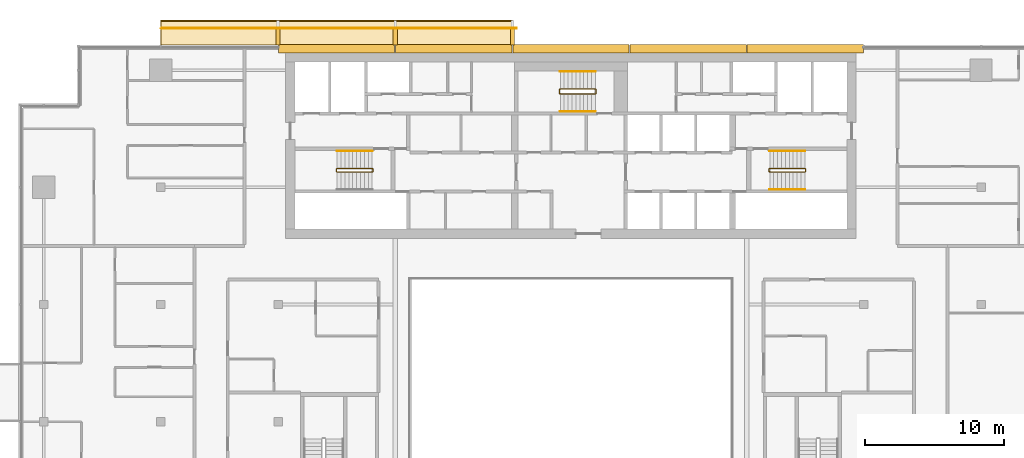
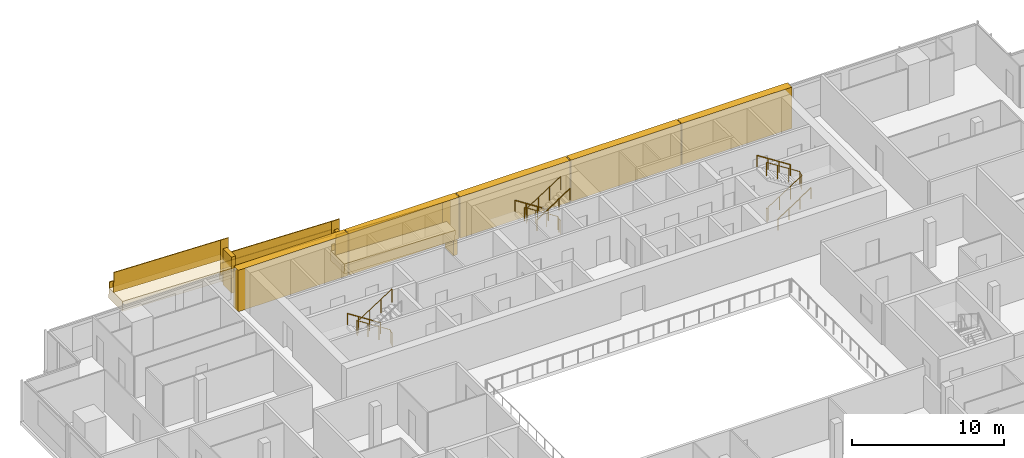
# One storey, part 26 of 27: 14 coverings, 14 railings.
"""IFC4 building model written with IfcOpenShell, lengths in metres."""

from ifc_helpers import new_model, si_unit, direction, frame, origin, origin_2d, place, context, subcontext, project, spatial, polyline, rectangle, circle, outline, extrude, material, layer, layer_set, type_object, element, save


model = new_model("IFC4")

# Units and contexts
model_context = context("Model", 3, precision=1e-05, world=origin(), true_north=direction((0.0, 1.0)))
body_context = subcontext(model_context, "Body", "Model", "MODEL_VIEW")
ifc_project = project(units=[si_unit("LENGTHUNIT", "METRE"), si_unit("AREAUNIT", "SQUARE_METRE"), si_unit("VOLUMEUNIT", "CUBIC_METRE"), si_unit("PLANEANGLEUNIT", "RADIAN"), si_unit("MASSUNIT", "GRAM", prefix="KILO")], contexts=[model_context])

# Site, building, storey
site_placement = place(None, origin())
site = spatial("IfcSite", under=ifc_project, at=site_placement, CompositionType="ELEMENT")
building_placement = place(site_placement, origin())
building = spatial("IfcBuilding", under=site, at=building_placement, Name="Saffron Gate Tower", CompositionType="ELEMENT")
storey_placement = place(building_placement, frame((0.0, 0.0, 234.300048828125)))
storey = spatial("IfcBuildingStorey", under=building, at=storey_placement, Name="L57", CompositionType="ELEMENT", Elevation=234.300048828125)

# Coverings
ifc_material_1 = material(Name="Ceramic-printed bronze insulated panel")
ifc_layer_1 = layer(ifc_material_1, 0.590087890625)
ifc_layer_set_1 = layer_set([ifc_layer_1], Name="CLD4 ceramic-printed cladding panel 590")
covering_type_1 = type_object("IfcCoveringType", Name="CLD4 ceramic-printed cladding panel 590", PredefinedType="CLADDING", material=ifc_layer_set_1)
covering_1_placement = place(storey_placement, origin())
element("IfcCovering", 1, at=covering_1_placement, inside=storey, type_object=covering_type_1, Name="CLADDING ceramic-printed panel", PredefinedType="CLADDING", context=body_context, shape_type="SweptSolid", body=[
    extrude(outline(polyline([(108.56494140625, 75.639892578125), (100.235107421875, 75.639892578125), (100.235107421875, 75.050048828125), (108.56494140625, 75.050048828125), (108.56494140625, 75.639892578125)])), origin(), (0.0, 0.0, 1.0), 3.320068359375),
])
covering_2_placement = place(storey_placement, origin())
element("IfcCovering", 2, at=covering_2_placement, inside=storey, type_object=covering_type_1, Name="CLADDING ceramic-printed panel", PredefinedType="CLADDING", context=body_context, shape_type="SweptSolid", body=[
    extrude(outline(polyline([(100.1650390625, 75.639892578125), (91.8349609375, 75.639892578125), (91.8349609375, 75.050048828125), (100.1650390625, 75.050048828125), (100.1650390625, 75.639892578125)])), origin(), (0.0, 0.0, 1.0), 3.320068359375),
])
covering_3_placement = place(storey_placement, origin())
element("IfcCovering", 3, at=covering_3_placement, inside=storey, type_object=covering_type_1, Name="CLADDING ceramic-printed panel", PredefinedType="CLADDING", context=body_context, shape_type="SweptSolid", body=[
    extrude(outline(polyline([(91.764892578125, 75.639892578125), (83.43505859375, 75.639892578125), (83.43505859375, 75.050048828125), (91.764892578125, 75.050048828125), (91.764892578125, 75.639892578125)])), origin(), (0.0, 0.0, 1.0), 3.320068359375),
])
covering_4_placement = place(storey_placement, origin())
element("IfcCovering", 4, at=covering_4_placement, inside=storey, type_object=covering_type_1, Name="CLADDING ceramic-printed panel", PredefinedType="CLADDING", context=body_context, shape_type="SweptSolid", body=[
    extrude(outline(polyline([(83.364990234375, 75.639892578125), (75.034912109375, 75.639892578125), (75.034912109375, 75.050048828125), (83.364990234375, 75.050048828125), (83.364990234375, 75.639892578125)])), origin(), (0.0, 0.0, 1.0), 3.320068359375),
])
covering_5_placement = place(storey_placement, origin())
element("IfcCovering", 5, at=covering_5_placement, inside=storey, type_object=covering_type_1, Name="CLADDING ceramic-printed panel", PredefinedType="CLADDING", context=body_context, shape_type="SweptSolid", body=[
    extrude(outline(polyline([(74.965087890625, 75.639892578125), (66.635009765625, 75.639892578125), (66.635009765625, 75.050048828125), (74.965087890625, 75.050048828125), (74.965087890625, 75.639892578125)])), origin(), (0.0, 0.0, 1.0), 3.320068359375),
])

# Railings
ifc_material_2 = material(Name="Stainless steel and laminated glass", Category="steel")
railing_type_1 = type_object("IfcRailingType", Name="CR1 Stair guard 1100", PredefinedType="GUARDRAIL", material=ifc_material_2)
railing_1_placement = place(storey_placement, frame((73.39990234375, 66.550048828125, 0.0)))
element("IfcRailing", 6, at=railing_1_placement, inside=storey, type_object=railing_type_1, Name="L57 ST-A stair guard 1", PredefinedType="GUARDRAIL", context=body_context, shape_type="SweptSolid", body=[
    extrude(circle(Radius=0.02392578125, at=origin_2d()), frame((0.0, 0.0, 1.076171875), z_axis=(0.0, 1.0, 0.0), x_axis=(-1.0, 0.0, 0.0)), (0.0, 0.0, 1.0), 0.14990234375),
    extrude(circle(Radius=0.02392578125, at=origin_2d()), frame((0.0, 0.14990234375, 1.076171875), z_axis=(-0.257669022063, 0.258932105505, 0.930892496375), x_axis=(-0.708833529934, -0.705375805398, 0.0)), (0.0, 0.0, 1.0), 0.193359375),
    extrude(circle(Radius=0.02392578125, at=origin_2d()), frame((-0.0498046875, 0.199951171875, 1.255859375), z_axis=(-0.841162588446, 0.0, 0.540782303519), x_axis=(0.0, -1.0, 0.0)), (0.0, 0.0, 1.0), 2.995849609375),
    extrude(circle(Radius=0.02392578125, at=origin_2d()), frame((-2.56982421875, 0.199951171875, 2.8759765625), z_axis=(-0.707106781187, -0.707106781187, 0.0), x_axis=(0.707106781187, -0.707106781187, 0.0)), (0.0, 0.0, 1.0), 0.07080078125),
    extrude(circle(Radius=0.02392578125, at=origin_2d()), frame((-2.619873046875, 0.14990234375, 2.8759765625), z_axis=(0.0, -1.0, 0.0), x_axis=(1.0, 0.0, 0.0)), (0.0, 0.0, 1.0), 0.14990234375),
    extrude(circle(Radius=0.02392578125, at=origin_2d()), frame((-2.619873046875, 0.0, 2.8759765625), z_axis=(0.258847668887, -0.258847668887, 0.930588936439), x_axis=(0.707106781187, 0.707106781187, 0.0)), (0.0, 0.0, 1.0), 0.193359375),
    extrude(circle(Radius=0.02392578125, at=origin_2d()), frame((-2.56982421875, -0.050048828125, 3.05615234375), z_axis=(0.841199657755, 0.0, 0.540724639528), x_axis=(0.0, 1.0, 0.0)), (0.0, 0.0, 1.0), 2.995849609375),
    extrude(circle(Radius=0.02099609375, at=origin_2d()), origin(), (0.0, 0.0, 1.0), 1.052001953125),
    extrude(circle(Radius=0.02099609375, at=origin_2d()), frame((0.0, 0.14990234375, 0.0)), (0.0, 0.0, 1.0), 1.052001953125),
    extrude(circle(Radius=0.02099609375, at=origin_2d()), frame((-0.0498046875, 0.199951171875, 0.179931640625)), (0.0, 0.0, 1.0), 1.052001953125),
    extrude(circle(Radius=0.02099609375, at=origin_2d()), frame((-0.889892578125, 0.199951171875, 0.719970703125)), (0.0, 0.0, 1.0), 1.052001953125),
    extrude(circle(Radius=0.02099609375, at=origin_2d()), frame((-1.729736328125, 0.199951171875, 1.260009765625)), (0.0, 0.0, 1.0), 1.052001953125),
    extrude(circle(Radius=0.02099609375, at=origin_2d()), frame((-2.56982421875, 0.199951171875, 1.800048828125)), (0.0, 0.0, 1.0), 1.052001953125),
    extrude(circle(Radius=0.02099609375, at=origin_2d()), frame((-2.619873046875, 0.14990234375, 1.800048828125)), (0.0, 0.0, 1.0), 1.052001953125),
    extrude(circle(Radius=0.02099609375, at=origin_2d()), frame((-2.619873046875, 0.0, 1.800048828125)), (0.0, 0.0, 1.0), 1.052001953125),
    extrude(circle(Radius=0.02099609375, at=origin_2d()), frame((-2.56982421875, -0.050048828125, 1.97998046875)), (0.0, 0.0, 1.0), 1.052001953125),
    extrude(circle(Radius=0.02099609375, at=origin_2d()), frame((-1.729736328125, -0.050048828125, 2.52001953125)), (0.0, 0.0, 1.0), 1.052001953125),
    extrude(circle(Radius=0.02099609375, at=origin_2d()), frame((-0.889892578125, -0.050048828125, 3.059814453125)), (0.0, 0.0, 1.0), 1.052001953125),
    extrude(circle(Radius=0.02099609375, at=origin_2d()), frame((-0.0498046875, -0.050048828125, 3.599853515625)), (0.0, 0.0, 1.0), 1.052001953125),
])
railing_2_placement = place(storey_placement, frame((101.800048828125, 66.699951171875, 0.0)))
element("IfcRailing", 7, at=railing_2_placement, inside=storey, type_object=railing_type_1, Name="L57 ST-B stair guard 1", PredefinedType="GUARDRAIL", context=body_context, shape_type="SweptSolid", body=[
    extrude(circle(Radius=0.02392578125, at=origin_2d()), frame((0.0, 0.0, 1.076171875), z_axis=(0.0, -1.0, 0.0), x_axis=(1.0, 0.0, 0.0)), (0.0, 0.0, 1.0), 0.14990234375),
    extrude(circle(Radius=0.02392578125, at=origin_2d()), frame((0.0, -0.14990234375, 1.076171875), z_axis=(0.258847668887, -0.258847668887, 0.930588936439), x_axis=(0.707106781187, 0.707106781187, 0.0)), (0.0, 0.0, 1.0), 0.193359375),
    extrude(circle(Radius=0.02392578125, at=origin_2d()), frame((0.050048828125, -0.199951171875, 1.255859375), z_axis=(0.841162588446, 0.0, 0.540782303519), x_axis=(0.0, 1.0, 0.0)), (0.0, 0.0, 1.0), 2.995849609375),
    extrude(circle(Radius=0.02392578125, at=origin_2d()), frame((2.570068359375, -0.199951171875, 2.8759765625), z_axis=(0.705375805398, 0.708833529934, 0.0), x_axis=(-0.708833529934, 0.705375805398, 0.0)), (0.0, 0.0, 1.0), 0.070556640625),
    extrude(circle(Radius=0.02392578125, at=origin_2d()), frame((2.619873046875, -0.14990234375, 2.8759765625), z_axis=(0.0, 1.0, 0.0), x_axis=(-1.0, 0.0, 0.0)), (0.0, 0.0, 1.0), 0.14990234375),
    extrude(circle(Radius=0.02392578125, at=origin_2d()), frame((2.619873046875, 0.0, 2.8759765625), z_axis=(-0.257669022063, 0.258932105505, 0.930892496375), x_axis=(-0.708833529934, -0.705375805398, 0.0)), (0.0, 0.0, 1.0), 0.193359375),
    extrude(circle(Radius=0.02392578125, at=origin_2d()), frame((2.570068359375, 0.050048828125, 3.05615234375), z_axis=(-0.841199657755, 0.0, 0.540724639528), x_axis=(0.0, -1.0, 0.0)), (0.0, 0.0, 1.0), 2.995849609375),
    extrude(circle(Radius=0.02099609375, at=origin_2d()), origin(), (0.0, 0.0, 1.0), 1.052001953125),
    extrude(circle(Radius=0.02099609375, at=origin_2d()), frame((0.0, -0.14990234375, 0.0)), (0.0, 0.0, 1.0), 1.052001953125),
    extrude(circle(Radius=0.02099609375, at=origin_2d()), frame((0.050048828125, -0.199951171875, 0.179931640625)), (0.0, 0.0, 1.0), 1.052001953125),
    extrude(circle(Radius=0.02099609375, at=origin_2d()), frame((0.89013671875, -0.199951171875, 0.719970703125)), (0.0, 0.0, 1.0), 1.052001953125),
    extrude(circle(Radius=0.02099609375, at=origin_2d()), frame((1.72998046875, -0.199951171875, 1.260009765625)), (0.0, 0.0, 1.0), 1.052001953125),
    extrude(circle(Radius=0.02099609375, at=origin_2d()), frame((2.570068359375, -0.199951171875, 1.800048828125)), (0.0, 0.0, 1.0), 1.052001953125),
    extrude(circle(Radius=0.02099609375, at=origin_2d()), frame((2.619873046875, -0.14990234375, 1.800048828125)), (0.0, 0.0, 1.0), 1.052001953125),
    extrude(circle(Radius=0.02099609375, at=origin_2d()), frame((2.619873046875, 0.0, 1.800048828125)), (0.0, 0.0, 1.0), 1.052001953125),
    extrude(circle(Radius=0.02099609375, at=origin_2d()), frame((2.570068359375, 0.050048828125, 1.97998046875)), (0.0, 0.0, 1.0), 1.052001953125),
    extrude(circle(Radius=0.02099609375, at=origin_2d()), frame((1.72998046875, 0.050048828125, 2.52001953125)), (0.0, 0.0, 1.0), 1.052001953125),
    extrude(circle(Radius=0.02099609375, at=origin_2d()), frame((0.89013671875, 0.050048828125, 3.059814453125)), (0.0, 0.0, 1.0), 1.052001953125),
    extrude(circle(Radius=0.02099609375, at=origin_2d()), frame((0.050048828125, 0.050048828125, 3.599853515625)), (0.0, 0.0, 1.0), 1.052001953125),
])
railing_3_placement = place(storey_placement, frame((89.39990234375, 72.14990234375, 0.0)))
element("IfcRailing", 8, at=railing_3_placement, inside=storey, type_object=railing_type_1, Name="L57 ST-C stair guard 1", PredefinedType="GUARDRAIL", context=body_context, shape_type="SweptSolid", body=[
    extrude(circle(Radius=0.02392578125, at=origin_2d()), frame((0.0, 0.0, 1.076171875), z_axis=(0.0, 1.0, 0.0), x_axis=(-1.0, 0.0, 0.0)), (0.0, 0.0, 1.0), 0.25),
    extrude(circle(Radius=0.02392578125, at=origin_2d()), frame((0.0, 0.25, 1.076171875), z_axis=(-0.257669022063, 0.258932105505, 0.930892496375), x_axis=(-0.708833529934, -0.705375805398, 0.0)), (0.0, 0.0, 1.0), 0.193359375),
    extrude(circle(Radius=0.02392578125, at=origin_2d()), frame((-0.0498046875, 0.300048828125, 1.255859375), z_axis=(-0.841162588446, 0.0, 0.540782303519), x_axis=(0.0, -1.0, 0.0)), (0.0, 0.0, 1.0), 2.995849609375),
    extrude(circle(Radius=0.02392578125, at=origin_2d()), frame((-2.56982421875, 0.300048828125, 2.8759765625), z_axis=(-0.707106781187, -0.707106781187, 0.0), x_axis=(0.707106781187, -0.707106781187, 0.0)), (0.0, 0.0, 1.0), 0.07080078125),
    extrude(circle(Radius=0.02392578125, at=origin_2d()), frame((-2.619873046875, 0.25, 2.8759765625), z_axis=(0.0, -1.0, 0.0), x_axis=(1.0, 0.0, 0.0)), (0.0, 0.0, 1.0), 0.25),
    extrude(circle(Radius=0.02392578125, at=origin_2d()), frame((-2.619873046875, 0.0, 2.8759765625), z_axis=(0.258932105505, -0.257669022063, 0.930892496375), x_axis=(0.705375805398, 0.708833529934, 0.0)), (0.0, 0.0, 1.0), 0.193359375),
    extrude(circle(Radius=0.02392578125, at=origin_2d()), frame((-2.56982421875, -0.0498046875, 3.05615234375), z_axis=(0.841199657755, 0.0, 0.540724639528), x_axis=(0.0, 1.0, 0.0)), (0.0, 0.0, 1.0), 2.995849609375),
    extrude(circle(Radius=0.02099609375, at=origin_2d()), origin(), (0.0, 0.0, 1.0), 1.052001953125),
    extrude(circle(Radius=0.02099609375, at=origin_2d()), frame((0.0, 0.25, 0.0)), (0.0, 0.0, 1.0), 1.052001953125),
    extrude(circle(Radius=0.02099609375, at=origin_2d()), frame((-0.0498046875, 0.300048828125, 0.179931640625)), (0.0, 0.0, 1.0), 1.052001953125),
    extrude(circle(Radius=0.02099609375, at=origin_2d()), frame((-0.889892578125, 0.300048828125, 0.719970703125)), (0.0, 0.0, 1.0), 1.052001953125),
    extrude(circle(Radius=0.02099609375, at=origin_2d()), frame((-1.729736328125, 0.300048828125, 1.260009765625)), (0.0, 0.0, 1.0), 1.052001953125),
    extrude(circle(Radius=0.02099609375, at=origin_2d()), frame((-2.56982421875, 0.300048828125, 1.800048828125)), (0.0, 0.0, 1.0), 1.052001953125),
    extrude(circle(Radius=0.02099609375, at=origin_2d()), frame((-2.619873046875, 0.25, 1.800048828125)), (0.0, 0.0, 1.0), 1.052001953125),
    extrude(circle(Radius=0.02099609375, at=origin_2d()), frame((-2.619873046875, 0.0, 1.800048828125)), (0.0, 0.0, 1.0), 1.052001953125),
    extrude(circle(Radius=0.02099609375, at=origin_2d()), frame((-2.56982421875, -0.0498046875, 1.97998046875)), (0.0, 0.0, 1.0), 1.052001953125),
    extrude(circle(Radius=0.02099609375, at=origin_2d()), frame((-1.729736328125, -0.0498046875, 2.52001953125)), (0.0, 0.0, 1.0), 1.052001953125),
    extrude(circle(Radius=0.02099609375, at=origin_2d()), frame((-0.889892578125, -0.0498046875, 3.059814453125)), (0.0, 0.0, 1.0), 1.052001953125),
    extrude(circle(Radius=0.02099609375, at=origin_2d()), frame((-0.0498046875, -0.0498046875, 3.599853515625)), (0.0, 0.0, 1.0), 1.052001953125),
])
ifc_material_3 = material(Name="Stainless steel", Category="steel")
railing_type_2 = type_object("IfcRailingType", Name="CR2 Stair handrail 900", PredefinedType="HANDRAIL", material=ifc_material_3)
railing_4_placement = place(storey_placement, frame((73.35009765625, 68.0, 0.179931640625)))
element("IfcRailing", 9, at=railing_4_placement, inside=storey, type_object=railing_type_2, Name="L57 ST-A stair handrail 1", PredefinedType="HANDRAIL", context=body_context, shape_type="SweptSolid", body=[
    extrude(circle(Radius=0.02392578125, at=origin_2d()), frame((0.0, 0.0, 0.8759765625), z_axis=(-0.841162588446, 0.0, 0.540782303519), x_axis=(0.0, -1.0, 0.0)), (0.0, 0.0, 1.0), 2.995849609375),
    extrude(circle(Radius=0.02099609375, at=origin_2d()), origin(), (0.0, 0.0, 1.0), 0.851806640625),
    extrude(circle(Radius=0.02099609375, at=origin_2d()), frame((-0.840087890625, 0.0, 0.5400390625)), (0.0, 0.0, 1.0), 0.851806640625),
    extrude(circle(Radius=0.02099609375, at=origin_2d()), frame((-1.679931640625, 0.0, 1.080078125)), (0.0, 0.0, 1.0), 0.851806640625),
    extrude(circle(Radius=0.02099609375, at=origin_2d()), frame((-2.52001953125, 0.0, 1.6201171875)), (0.0, 0.0, 1.0), 0.851806640625),
])
railing_5_placement = place(storey_placement, frame((101.85009765625, 65.25, 0.179931640625)))
element("IfcRailing", 10, at=railing_5_placement, inside=storey, type_object=railing_type_2, Name="L57 ST-B stair handrail 1", PredefinedType="HANDRAIL", context=body_context, shape_type="SweptSolid", body=[
    extrude(circle(Radius=0.02392578125, at=origin_2d()), frame((0.0, 0.0, 0.8759765625), z_axis=(0.841162588446, 0.0, 0.540782303519), x_axis=(0.0, 1.0, 0.0)), (0.0, 0.0, 1.0), 2.995849609375),
    extrude(circle(Radius=0.02099609375, at=origin_2d()), origin(), (0.0, 0.0, 1.0), 0.851806640625),
    extrude(circle(Radius=0.02099609375, at=origin_2d()), frame((0.840087890625, 0.0, 0.5400390625)), (0.0, 0.0, 1.0), 0.851806640625),
    extrude(circle(Radius=0.02099609375, at=origin_2d()), frame((1.679931640625, 0.0, 1.080078125)), (0.0, 0.0, 1.0), 0.851806640625),
    extrude(circle(Radius=0.02099609375, at=origin_2d()), frame((2.52001953125, 0.0, 1.6201171875)), (0.0, 0.0, 1.0), 0.851806640625),
])
railing_6_placement = place(storey_placement, frame((104.3701171875, 68.0, 1.97998046875)))
element("IfcRailing", 11, at=railing_6_placement, inside=storey, type_object=railing_type_2, Name="L57 ST-B stair handrail 2", PredefinedType="HANDRAIL", context=body_context, shape_type="SweptSolid", body=[
    extrude(circle(Radius=0.02392578125, at=origin_2d()), frame((0.0, 0.0, 0.8759765625), z_axis=(-0.841199657755, 0.0, 0.540724639528), x_axis=(0.0, -1.0, 0.0)), (0.0, 0.0, 1.0), 2.995849609375),
    extrude(circle(Radius=0.02099609375, at=origin_2d()), origin(), (0.0, 0.0, 1.0), 0.851806640625),
    extrude(circle(Radius=0.02099609375, at=origin_2d()), frame((-0.840087890625, 0.0, 0.5400390625)), (0.0, 0.0, 1.0), 0.851806640625),
    extrude(circle(Radius=0.02099609375, at=origin_2d()), frame((-1.679931640625, 0.0, 1.079833984375)), (0.0, 0.0, 1.0), 0.851806640625),
    extrude(circle(Radius=0.02099609375, at=origin_2d()), frame((-2.52001953125, 0.0, 1.619873046875)), (0.0, 0.0, 1.0), 0.851806640625),
])
railing_7_placement = place(storey_placement, frame((89.35009765625, 73.699951171875, 0.179931640625)))
element("IfcRailing", 12, at=railing_7_placement, inside=storey, type_object=railing_type_2, Name="L57 ST-C stair handrail 1", PredefinedType="HANDRAIL", context=body_context, shape_type="SweptSolid", body=[
    extrude(circle(Radius=0.02392578125, at=origin_2d()), frame((0.0, 0.0, 0.8759765625), z_axis=(-0.841162588446, 0.0, 0.540782303519), x_axis=(0.0, -1.0, 0.0)), (0.0, 0.0, 1.0), 2.995849609375),
    extrude(circle(Radius=0.02099609375, at=origin_2d()), origin(), (0.0, 0.0, 1.0), 0.851806640625),
    extrude(circle(Radius=0.02099609375, at=origin_2d()), frame((-0.840087890625, 0.0, 0.5400390625)), (0.0, 0.0, 1.0), 0.851806640625),
    extrude(circle(Radius=0.02099609375, at=origin_2d()), frame((-1.679931640625, 0.0, 1.080078125)), (0.0, 0.0, 1.0), 0.851806640625),
    extrude(circle(Radius=0.02099609375, at=origin_2d()), frame((-2.52001953125, 0.0, 1.6201171875)), (0.0, 0.0, 1.0), 0.851806640625),
])
railing_8_placement = place(storey_placement, frame((86.830078125, 70.85009765625, 1.97998046875)))
element("IfcRailing", 13, at=railing_8_placement, inside=storey, type_object=railing_type_2, Name="L57 ST-C stair handrail 2", PredefinedType="HANDRAIL", context=body_context, shape_type="SweptSolid", body=[
    extrude(circle(Radius=0.02392578125, at=origin_2d()), frame((0.0, 0.0, 0.8759765625), z_axis=(0.841199657755, 0.0, 0.540724639528), x_axis=(0.0, 1.0, 0.0)), (0.0, 0.0, 1.0), 2.995849609375),
    extrude(circle(Radius=0.02099609375, at=origin_2d()), origin(), (0.0, 0.0, 1.0), 0.851806640625),
    extrude(circle(Radius=0.02099609375, at=origin_2d()), frame((0.840087890625, 0.0, 0.5400390625)), (0.0, 0.0, 1.0), 0.851806640625),
    extrude(circle(Radius=0.02099609375, at=origin_2d()), frame((1.679931640625, 0.0, 1.079833984375)), (0.0, 0.0, 1.0), 0.851806640625),
    extrude(circle(Radius=0.02099609375, at=origin_2d()), frame((2.52001953125, 0.0, 1.619873046875)), (0.0, 0.0, 1.0), 0.851806640625),
])

# Coverings
ifc_material_4 = material(Name="Timber, thermally modified ash", Category="wood")
ifc_layer_2 = layer(ifc_material_4, 0.800048828125)
ifc_layer_set_2 = layer_set([ifc_layer_2], Name="LD1 ledge timber")
covering_type_2 = type_object("IfcCoveringType", Name="LD1 ledge timber", PredefinedType="CLADDING", material=ifc_layer_set_2)
for number, where, z_axis, x_axis, name in (
    (14, (83.39990234375, 75.60009765625, 0.32861328125), (0.028791175352, 0.0, 0.999585448184), (-0.999585448184, 0.0, 0.028791175352), "LEDGE"),
    (15, (75.0, 75.60009765625, 1.77099609375), (0.028791175352, 0.0, 0.999585448184), (-0.999585448184, 0.0, 0.028791175352), "LEDGE"),
):
    element("IfcCovering", number, at=place(storey_placement, frame(where, z_axis=z_axis, x_axis=x_axis)), inside=storey, type_object=covering_type_2, Name=name, PredefinedType="CLADDING", context=body_context, shape_type="SweptSolid", body=[
        extrude(outline(polyline([(0.0, 0.0), (8.403385982666892, 0.0), (8.403385982666892, -1.7998046875), (0.0, -1.7998046875), (0.0, 0.0)])), origin(), (0.0, 0.0, -1.0), 0.800048828125),
    ])
covering_6_placement = place(storey_placement, frame((66.60009765625, 75.60009765625, 3.213134765625), z_axis=(0.028819366951, 0.0, 0.999584635781), x_axis=(-0.999584635781, 0.0, 0.028819366951)))
element("IfcCovering", 16, at=covering_6_placement, inside=storey, type_object=covering_type_2, Name="LEDGE", PredefinedType="CLADDING", context=body_context, shape_type="SweptSolid", body=[
    extrude(outline(polyline([(0.0, 0.0), (8.403637054520734, 0.0), (8.403637054520734, -1.7998046874999998), (0.0, -1.7998046874999998), (0.0, 0.0)])), origin(), (0.0, 0.0, -1.0), 0.800048828125),
])
ifc_layer_3 = layer(ifc_material_4, 0.080078125)
ifc_layer_set_3 = layer_set([ifc_layer_3], Name="LD2 ledge planter trough")
covering_type_3 = type_object("IfcCoveringType", Name="LD2 ledge planter trough", PredefinedType="CLADDING", material=ifc_layer_set_3)
for number, where, z_axis, x_axis, name in (
    (17, (83.39990234375, 77.39990234375, 0.32861328125), (0.0, 1.0, 0.0), (-0.999585448184, 0.0, 0.028791175352), "LEDGE planter trough"),
    (18, (75.0, 77.39990234375, 1.77099609375), (0.0, 1.0, 0.0), (-0.999585448184, 0.0, 0.028791175352), "LEDGE planter trough"),
):
    element("IfcCovering", number, at=place(storey_placement, frame(where, z_axis=z_axis, x_axis=x_axis)), inside=storey, type_object=covering_type_3, Name=name, PredefinedType="CLADDING", context=body_context, shape_type="SweptSolid", body=[
        extrude(outline(polyline([(0.0, 0.0), (8.403385982666892, 0.0), (8.417781570342743, 0.49979272409216496), (0.014395587675851172, 0.4997927240921649), (0.0, 0.0)])), origin(), (0.0, 0.0, -1.0), 0.080078125),
    ])
covering_7_placement = place(storey_placement, frame((66.60009765625, 77.39990234375, 3.213134765625), z_axis=(0.0, 1.0, 0.0), x_axis=(-0.999584635781, 0.0, 0.028819366951)))
element("IfcCovering", 19, at=covering_7_placement, inside=storey, type_object=covering_type_3, Name="LEDGE planter trough", PredefinedType="CLADDING", context=body_context, shape_type="SweptSolid", body=[
    extrude(outline(polyline([(0.0, 0.0), (8.403637054520734, 2.7755575615628914e-17), (8.418046737996397, 0.49979231789027256), (0.014409683475663392, 0.4997923178902725), (0.0, 0.0)])), origin(), (0.0, 0.0, -1.0), 0.080078125),
])
ifc_layer_4 = layer(ifc_material_4, 0.300048828125)
ifc_layer_set_4 = layer_set([ifc_layer_4], Name="LD3 ledge riser fin")
covering_type_4 = type_object("IfcCoveringType", Name="LD3 ledge riser fin", PredefinedType="CLADDING", material=ifc_layer_set_4)
for number, where, z_axis, x_axis, name in (
    (20, (83.39990234375, 76.159912109375, -1.671875), (0.0, 0.0, 1.0), (-1.0, 0.0, 0.0), "LEDGE riser fin"),
    (21, (75.0, 76.159912109375, -0.2294921875), (0.0, 0.0, 1.0), (-1.0, 0.0, 0.0), "LEDGE riser fin"),
    (22, (66.60009765625, 76.159912109375, 1.212890625), (0.0, 0.0, 1.0), (-1.0, 0.0, 0.0), "LEDGE riser fin"),
):
    element("IfcCovering", number, at=place(storey_placement, frame(where, z_axis=z_axis, x_axis=x_axis)), inside=storey, type_object=covering_type_4, Name=name, PredefinedType="CLADDING", context=body_context, shape_type="SweptSolid", body=[
        extrude(rectangle(XDim=0.300048828125, YDim=1.1201171875, at=origin_2d()), origin(), (0.0, 0.0, 1.0), 2.900390625),
    ])

# Railings
railing_type_3 = type_object("IfcRailingType", Name="LG1 ledge balustrade", PredefinedType="BALUSTRADE", material=ifc_material_4)
railing_9_placement = place(storey_placement, frame((83.39990234375, 76.800048828125, 0.32861328125)))
element("IfcRailing", 23, at=railing_9_placement, inside=storey, type_object=railing_type_3, Name="LEDGE BALUSTRADE", PredefinedType="BALUSTRADE", context=body_context, shape_type="SweptSolid", body=[
    extrude(rectangle(XDim=0.06005859375, YDim=1.60009765625, at=origin_2d()), frame((0.0, 0.0, 0.800048828125), z_axis=(-0.999585448184, 0.0, 0.028791175352), x_axis=(0.0, -1.0, 0.0)), (0.0, 0.0, 1.0), 8.4033203125),
])
railing_10_placement = place(storey_placement, frame((83.699951171875, 76.800048828125, -0.871826171875)))
element("IfcRailing", 24, at=railing_10_placement, inside=storey, type_object=railing_type_3, Name="LEDGE BALUSTRADE", PredefinedType="BALUSTRADE", context=body_context, shape_type="SweptSolid", body=[
    extrude(rectangle(XDim=0.06005859375, YDim=2.80029296875, at=origin_2d()), frame((0.0, 0.0, 1.400146484375), z_axis=(-1.0, 0.0, 0.0), x_axis=(0.0, -1.0, 0.0)), (0.0, 0.0, 1.0), 0.599853515625),
])
railing_11_placement = place(storey_placement, frame((75.0, 76.800048828125, 1.77099609375)))
element("IfcRailing", 25, at=railing_11_placement, inside=storey, type_object=railing_type_3, Name="LEDGE BALUSTRADE", PredefinedType="BALUSTRADE", context=body_context, shape_type="SweptSolid", body=[
    extrude(rectangle(XDim=0.06005859375, YDim=1.60009765625, at=origin_2d()), frame((0.0, 0.0, 0.800048828125), z_axis=(-0.999585448184, 0.0, 0.028791175352), x_axis=(0.0, -1.0, 0.0)), (0.0, 0.0, 1.0), 8.4033203125),
])
railing_12_placement = place(storey_placement, frame((75.300048828125, 76.800048828125, 0.570556640625)))
element("IfcRailing", 26, at=railing_12_placement, inside=storey, type_object=railing_type_3, Name="LEDGE BALUSTRADE", PredefinedType="BALUSTRADE", context=body_context, shape_type="SweptSolid", body=[
    extrude(rectangle(XDim=0.06005859375, YDim=2.80029296875, at=origin_2d()), frame((0.0, 0.0, 1.400146484375), z_axis=(-1.0, 0.0, 0.0), x_axis=(0.0, -1.0, 0.0)), (0.0, 0.0, 1.0), 0.60009765625),
])
railing_13_placement = place(storey_placement, frame((66.60009765625, 76.800048828125, 3.213134765625)))
element("IfcRailing", 27, at=railing_13_placement, inside=storey, type_object=railing_type_3, Name="LEDGE BALUSTRADE", PredefinedType="BALUSTRADE", context=body_context, shape_type="SweptSolid", body=[
    extrude(rectangle(XDim=0.06005859375, YDim=1.60009765625, at=origin_2d()), frame((0.0, 0.0, 0.800048828125), z_axis=(-0.999584635781, 0.0, 0.028819366951), x_axis=(0.0, -1.0, 0.0)), (0.0, 0.0, 1.0), 8.403564453125),
])
railing_14_placement = place(storey_placement, frame((66.89990234375, 76.800048828125, 2.012939453125)))
element("IfcRailing", 28, at=railing_14_placement, inside=storey, type_object=railing_type_3, Name="LEDGE BALUSTRADE", PredefinedType="BALUSTRADE", context=body_context, shape_type="SweptSolid", body=[
    extrude(rectangle(XDim=0.06005859375, YDim=2.80029296875, at=origin_2d()), frame((0.0, 0.0, 1.400146484375), z_axis=(-1.0, 0.0, 0.0), x_axis=(0.0, -1.0, 0.0)), (0.0, 0.0, 1.0), 0.599853515625),
])

save(model, "model.ifc")
